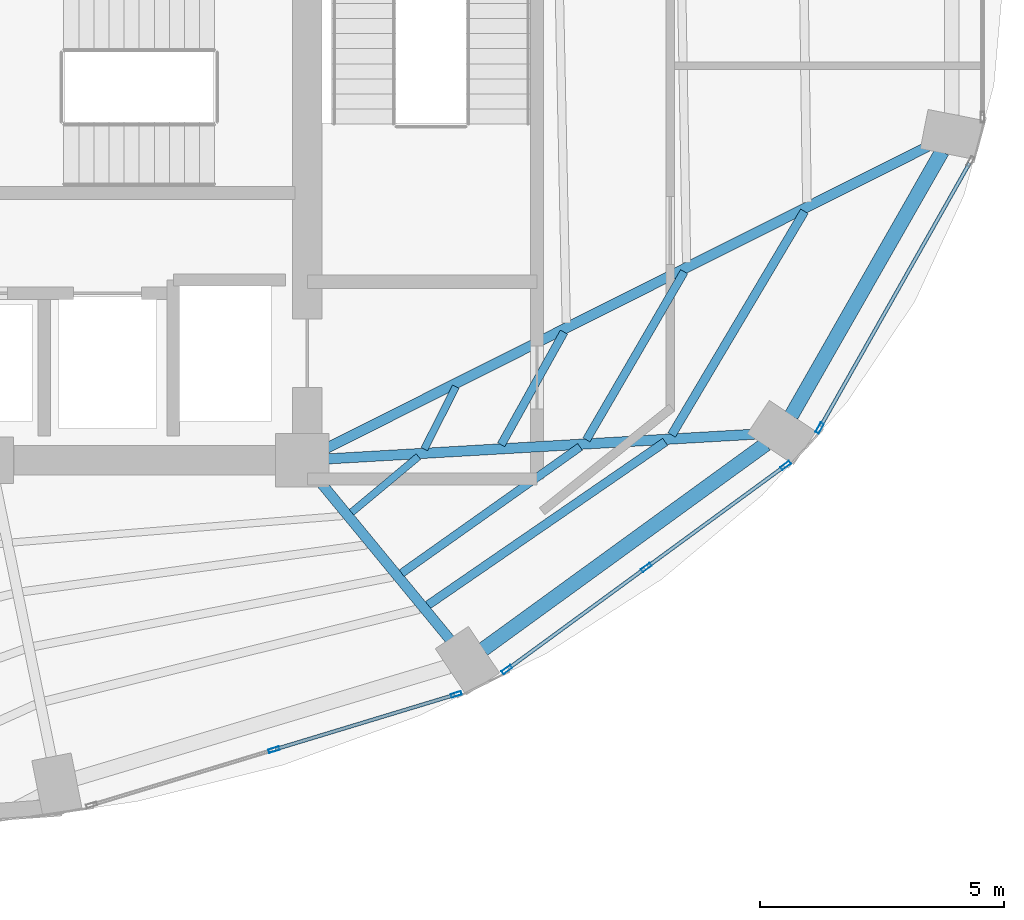
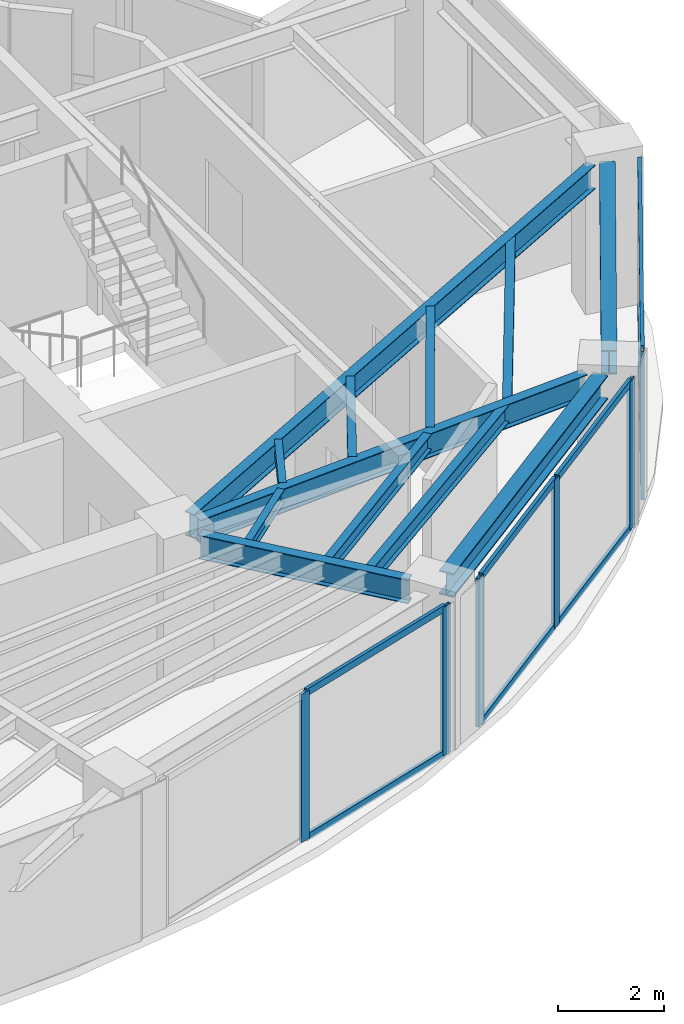
# One storey, part 9 of 19: 14 members, 12 beams, 3 elements without a shape of their own.
"""IFC4 building model written with IfcOpenShell, lengths in metres."""

from ifc_helpers import new_model, si_unit, direction, frame, origin, origin_2d, place, context, subcontext, project, spatial, hollow_rectangle, i_section, extrude, material, layer, layer_set, material_profile, profile_set, type_object, element, aggregate, save


model = new_model("IFC4")

# Units and contexts
model_context = context("Model", 3, precision=1e-05, world=origin(), true_north=direction((0.0, 1.0)))
body_context = subcontext(model_context, "Body", "Model", "MODEL_VIEW")
ifc_project = project(units=[si_unit("LENGTHUNIT", "METRE"), si_unit("AREAUNIT", "SQUARE_METRE"), si_unit("VOLUMEUNIT", "CUBIC_METRE"), si_unit("PLANEANGLEUNIT", "RADIAN"), si_unit("MASSUNIT", "GRAM", prefix="KILO")], contexts=[model_context])

# Site, building, storey
site_placement = place(None, origin())
site = spatial("IfcSite", under=ifc_project, at=site_placement, CompositionType="ELEMENT")
building_placement = place(site_placement, origin())
building = spatial("IfcBuilding", under=site, at=building_placement, Name="Lazwardi Medical Tower", CompositionType="ELEMENT")
storey_placement = place(building_placement, frame((0.0, 0.0, 167.471923828125)))
storey = spatial("IfcBuildingStorey", under=building, at=storey_placement, Name="L43", CompositionType="ELEMENT", Elevation=167.471923828125)

# Beams
ifc_material_1 = material(Name="Steel S355", Category="steel")
ifc_material_profile_1 = material_profile(ifc_material_1, i_section(OverallWidth=0.300048828125, OverallDepth=0.550048828125, WebThickness=0.014892578125, FlangeThickness=0.029052734375, at=origin_2d()), Name="HEB 550")
ifc_profile_set_1 = profile_set([ifc_material_profile_1], Name="Steel S355")
beam_type_1 = type_object("IfcBeamType", Name="BM-RB-Z3", PredefinedType="BEAM", material=ifc_profile_set_1)
beam_1_placement = place(storey_placement, frame((49.310302734375, 16.520751953125, 3.153076171875), z_axis=(0.809127570774, 0.587633026824, 0.0), x_axis=(-0.587633026824, 0.809127570774, 0.0)))
element("IfcBeam", 1, at=beam_1_placement, inside=storey, type_object=beam_type_1, Name="Ring beam RB-04 B02 L43", PredefinedType="BEAM", context=body_context, shape_type="SweptSolid", body=[
    extrude(i_section(OverallWidth=0.300048828125, OverallDepth=0.550048828125, WebThickness=0.014892578125, FlangeThickness=0.029052734375, at=origin_2d()), origin(), (0.0, 0.0, 1.0), 7.170166015625),
])
beam_2_placement = place(storey_placement, frame((55.6337890625, 21.316650390625, 3.153076171875), z_axis=(0.495477752551, 0.868620628771, 0.0), x_axis=(-0.868620628771, 0.495477752551, 0.0)))
element("IfcBeam", 2, at=beam_2_placement, inside=storey, type_object=beam_type_1, Name="Ring beam RB-04 B03 L43", PredefinedType="BEAM", context=body_context, shape_type="SweptSolid", body=[
    extrude(i_section(OverallWidth=0.300048828125, OverallDepth=0.550048828125, WebThickness=0.014892578125, FlangeThickness=0.029052734375, at=origin_2d()), origin(), (0.0, 0.0, 1.0), 6.244384765625),
])
ifc_material_profile_2 = material_profile(ifc_material_1, i_section(OverallWidth=0.2099609375, OverallDepth=0.550048828125, WebThickness=0.010986328125, FlangeThickness=0.01708984375, at=origin_2d()), Name="IPE 550")
ifc_profile_set_2 = profile_set([ifc_material_profile_2], Name="Steel S355")
beam_type_2 = type_object("IfcBeamType", Name="BM-RG-W2", PredefinedType="BEAM", material=ifc_profile_set_2)
beam_3_placement = place(storey_placement, frame((48.630615234375, 16.71826171875, 3.153076171875), z_axis=(-0.635555639966, 0.772055068312, 0.0), x_axis=(-0.772055068312, -0.635555639966, 0.0)))
element("IfcBeam", 3, at=beam_3_placement, inside=storey, type_object=beam_type_2, Name="Radial girder RG-03 R02 L43", PredefinedType="BEAM", context=body_context, shape_type="SweptSolid", body=[
    extrude(i_section(OverallWidth=0.2099609375, OverallDepth=0.550048828125, WebThickness=0.010986328125, FlangeThickness=0.01708984375, at=origin_2d()), origin(), (0.0, 0.0, 1.0), 4.233642578125),
])
beam_4_placement = place(storey_placement, frame((54.87646484375, 20.936767578125, 3.153076171875), z_axis=(-0.998330154646, -0.057765927014, 0.0), x_axis=(0.057765927014, -0.998330154646, 0.0)))
element("IfcBeam", 4, at=beam_4_placement, inside=storey, type_object=beam_type_2, Name="Radial girder RG-03 R03 L43", PredefinedType="BEAM", context=body_context, shape_type="SweptSolid", body=[
    extrude(i_section(OverallWidth=0.2099609375, OverallDepth=0.550048828125, WebThickness=0.010986328125, FlangeThickness=0.01708984375, at=origin_2d()), origin(), (0.0, 0.0, 1.0), 8.757080078125),
])
beam_5_placement = place(storey_placement, frame((58.42529296875, 26.837158203125, 3.153076171875), z_axis=(-0.893740468624, -0.448584412061, 0.0), x_axis=(0.448584412061, -0.893740468624, 0.0)))
element("IfcBeam", 5, at=beam_5_placement, inside=storey, type_object=beam_type_2, Name="Radial girder RG-03 R04 L43", PredefinedType="BEAM", context=body_context, shape_type="SweptSolid", body=[
    extrude(i_section(OverallWidth=0.2099609375, OverallDepth=0.550048828125, WebThickness=0.010986328125, FlangeThickness=0.01708984375, at=origin_2d()), origin(), (0.0, 0.0, 1.0), 13.815185546875),
])
ifc_material_profile_3 = material_profile(ifc_material_1, i_section(OverallWidth=0.179931640625, OverallDepth=0.39990234375, WebThickness=0.008544921875, FlangeThickness=0.013427734375, at=origin_2d()), Name="IPE 400")
ifc_profile_set_3 = profile_set([ifc_material_profile_3], Name="Steel S355")
beam_type_3 = type_object("IfcBeamType", Name="BM-SJ-01", PredefinedType="JOIST", material=ifc_profile_set_3)
beam_6_placement = place(storey_placement, frame((48.1748046875, 17.4287109375, 3.22802734375), z_axis=(0.823932256005, 0.566688307198, 0.0), x_axis=(-0.566688307198, 0.823932256005, 0.0)))
element("IfcBeam", 6, at=beam_6_placement, inside=storey, type_object=beam_type_3, Name="Secondary joist SJ-01 R1 B02 L43", PredefinedType="JOIST", context=body_context, shape_type="SweptSolid", body=[
    extrude(i_section(OverallWidth=0.179931640625, OverallDepth=0.39990234375, WebThickness=0.008544921875, FlangeThickness=0.013427734375, at=origin_2d()), origin(), (0.0, 0.0, 1.0), 5.91162109375),
])
beam_7_placement = place(storey_placement, frame((53.17919921875, 20.921630859375, 3.22802734375), z_axis=(0.510569396963, 0.859836548935, 0.0), x_axis=(-0.859836548935, 0.510569396963, 0.0)))
element("IfcBeam", 7, at=beam_7_placement, inside=storey, type_object=beam_type_3, Name="Secondary joist SJ-01 R1 B03 L43", PredefinedType="JOIST", context=body_context, shape_type="SweptSolid", body=[
    extrude(i_section(OverallWidth=0.179931640625, OverallDepth=0.39990234375, WebThickness=0.008544921875, FlangeThickness=0.013427734375, at=origin_2d()), origin(), (0.0, 0.0, 1.0), 5.33837890625),
])
ifc_material_profile_4 = material_profile(ifc_material_1, i_section(OverallWidth=0.169921875, OverallDepth=0.360107421875, WebThickness=0.008056640625, FlangeThickness=0.0126953125, at=origin_2d()), Name="IPE 360")
ifc_profile_set_4 = profile_set([ifc_material_profile_4], Name="Steel S355")
beam_type_4 = type_object("IfcBeamType", Name="BM-SJ-02", PredefinedType="JOIST", material=ifc_profile_set_4)
beam_8_placement = place(storey_placement, frame((47.635986328125, 18.08349609375, 3.248046875), z_axis=(0.816108950798, 0.577898070967, 0.0), x_axis=(-0.577898070967, 0.816108950798, 0.0)))
element("IfcBeam", 8, at=beam_8_placement, inside=storey, type_object=beam_type_4, Name="Secondary joist SJ-02 R2 B02 L43", PredefinedType="JOIST", context=body_context, shape_type="SweptSolid", body=[
    extrude(i_section(OverallWidth=0.169921875, OverallDepth=0.360107421875, WebThickness=0.008056640625, FlangeThickness=0.0126953125, at=origin_2d()), origin(), (0.0, 0.0, 1.0), 4.487060546875),
])
beam_9_placement = place(storey_placement, frame((51.4296875, 20.82080078125, 3.248046875), z_axis=(0.502665102216, 0.864481228839, 0.0), x_axis=(-0.864481228839, 0.502665102216, 0.0)))
element("IfcBeam", 9, at=beam_9_placement, inside=storey, type_object=beam_type_4, Name="Secondary joist SJ-02 R2 B03 L43", PredefinedType="JOIST", context=body_context, shape_type="SweptSolid", body=[
    extrude(i_section(OverallWidth=0.169921875, OverallDepth=0.360107421875, WebThickness=0.008056640625, FlangeThickness=0.0126953125, at=origin_2d()), origin(), (0.0, 0.0, 1.0), 3.991943359375),
])
beam_10_placement = place(storey_placement, frame((49.6796875, 20.720703125, 3.248046875), z_axis=(0.487099444348, 0.87334651274, 0.0), x_axis=(-0.87334651274, 0.487099444348, 0.0)))
element("IfcBeam", 10, at=beam_10_placement, inside=storey, type_object=beam_type_4, Name="Secondary joist SJ-02 R3 B03 L43", PredefinedType="JOIST", context=body_context, shape_type="SweptSolid", body=[
    extrude(i_section(OverallWidth=0.169921875, OverallDepth=0.360107421875, WebThickness=0.008056640625, FlangeThickness=0.0126953125, at=origin_2d()), origin(), (0.0, 0.0, 1.0), 2.64599609375),
])
ifc_material_profile_5 = material_profile(ifc_material_1, i_section(OverallWidth=0.14990234375, OverallDepth=0.300048828125, WebThickness=0.007080078125, FlangeThickness=0.0107421875, at=origin_2d()), Name="IPE 300")
ifc_profile_set_5 = profile_set([ifc_material_profile_5], Name="Steel S355")
beam_type_5 = type_object("IfcBeamType", Name="BM-SJ-03", PredefinedType="JOIST", material=ifc_profile_set_5)
beam_11_placement = place(storey_placement, frame((46.608642578125, 19.331787109375, 3.278076171875), z_axis=(0.767437193893, 0.641124132621, 0.0), x_axis=(-0.641124132621, 0.767437193893, 0.0)))
element("IfcBeam", 11, at=beam_11_placement, inside=storey, type_object=beam_type_5, Name="Secondary joist SJ-03 R4 B02 L43", PredefinedType="JOIST", context=body_context, shape_type="SweptSolid", body=[
    extrude(i_section(OverallWidth=0.14990234375, OverallDepth=0.300048828125, WebThickness=0.007080078125, FlangeThickness=0.0107421875, at=origin_2d()), origin(), (0.0, 0.0, 1.0), 1.787841796875),
])
beam_12_placement = place(storey_placement, frame((48.1025390625, 20.631591796875, 3.278076171875), z_axis=(0.450406075332, 0.892823816497, 0.0), x_axis=(-0.892823816497, 0.450406075332, 0.0)))
element("IfcBeam", 12, at=beam_12_placement, inside=storey, type_object=beam_type_5, Name="Secondary joist SJ-03 R4 B03 L43", PredefinedType="JOIST", context=body_context, shape_type="SweptSolid", body=[
    extrude(i_section(OverallWidth=0.14990234375, OverallDepth=0.300048828125, WebThickness=0.007080078125, FlangeThickness=0.0107421875, at=origin_2d()), origin(), (0.0, 0.0, 1.0), 1.4365234375),
])

# Curtain wall, members
ifc_material_2 = material(Name="Anodised bronze aluminium and solar control glazing", Category="aluminium")
ifc_layer = layer(ifc_material_2, 0.195068359375)
ifc_layer_set = layer_set([ifc_layer], Name="Anodised bronze aluminium and solar control glazing")
curtain_wall_type = type_object("IfcCurtainWallType", Name="CW-SYS-03", PredefinedType="NOTDEFINED", material=ifc_layer_set)
curtain_wall_1_placement = place(storey_placement, origin())
curtain_wall_1 = element("IfcCurtainWall", 13, at=curtain_wall_1_placement, inside=storey, type_object=curtain_wall_type, Name="L43 Unitised bronze curtain wall CW-03", PredefinedType="NOTDEFINED")
ifc_material_3 = material(Name="Anodised bronze aluminium", Category="aluminium")
ifc_material_profile_6 = material_profile(ifc_material_3, hollow_rectangle(XDim=0.074951171875, YDim=0.219970703125, WallThickness=0.00390625, at=origin_2d()), Name="ALU-MULLION 220x75x4")
ifc_profile_set_6 = profile_set([ifc_material_profile_6], Name="Anodised bronze aluminium")
member_type_1 = type_object("IfcMemberType", Name="CW-MUL-01", PredefinedType="MULLION", material=ifc_profile_set_6)
member_1_placement = place(storey_placement, frame((45.01513671875, 14.461181640625, 0.0), z_axis=(0.0, 0.0, 1.0), x_axis=(-0.290280785441, 0.956941516292, 0.0)))
member_1 = element("IfcMember", 14, at=member_1_placement, type_object=member_type_1, Name="CW-03 mullion 2", PredefinedType="MULLION", context=body_context, shape_type="SweptSolid", body=[
    extrude(hollow_rectangle(XDim=0.074951171875, YDim=0.219970703125, WallThickness=0.00390625, at=origin_2d()), origin(), (0.0, 0.0, 1.0), 3.427978515625),
])
member_2_placement = place(storey_placement, frame((48.758056640625, 15.5966796875, 0.0), z_axis=(0.0, 0.0, 1.0), x_axis=(-0.290280785441, 0.956941516292, 0.0)))
member_2 = element("IfcMember", 15, at=member_2_placement, type_object=member_type_1, Name="CW-03 mullion 3", PredefinedType="MULLION", context=body_context, shape_type="SweptSolid", body=[
    extrude(hollow_rectangle(XDim=0.074951171875, YDim=0.219970703125, WallThickness=0.00390625, at=origin_2d()), origin(), (0.0, 0.0, 1.0), 3.427978515625),
])

curtain_wall_2_placement = place(storey_placement, origin())
curtain_wall_2 = element("IfcCurtainWall", 16, at=curtain_wall_2_placement, inside=storey, type_object=curtain_wall_type, Name="L43 Unitised bronze curtain wall CW-03", PredefinedType="NOTDEFINED")
member_3_placement = place(storey_placement, frame((49.795654296875, 16.105224609375, 0.0), z_axis=(0.0, 0.0, 1.0), x_axis=(-0.590833862635, 0.806793249082, 0.0)))
member_3 = element("IfcMember", 17, at=member_3_placement, type_object=member_type_1, Name="CW-03 mullion 1", PredefinedType="MULLION", context=body_context, shape_type="SweptSolid", body=[
    extrude(hollow_rectangle(XDim=0.074951171875, YDim=0.219970703125, WallThickness=0.00390625, at=origin_2d()), origin(), (0.0, 0.0, 1.0), 3.427978515625),
])
member_4_placement = place(storey_placement, frame((52.65771484375, 18.201171875, 0.0), z_axis=(0.0, 0.0, 1.0), x_axis=(-0.590833862635, 0.806793249082, 0.0)))
member_4 = element("IfcMember", 18, at=member_4_placement, type_object=member_type_1, Name="CW-03 mullion 2", PredefinedType="MULLION", context=body_context, shape_type="SweptSolid", body=[
    extrude(hollow_rectangle(XDim=0.074951171875, YDim=0.219970703125, WallThickness=0.00390625, at=origin_2d()), origin(), (0.0, 0.0, 1.0), 3.427978515625),
])
member_5_placement = place(storey_placement, frame((55.519775390625, 20.297119140625, 0.0), z_axis=(0.0, 0.0, 1.0), x_axis=(-0.590833862635, 0.806793249082, 0.0)))
member_5 = element("IfcMember", 19, at=member_5_placement, type_object=member_type_1, Name="CW-03 mullion 3", PredefinedType="MULLION", context=body_context, shape_type="SweptSolid", body=[
    extrude(hollow_rectangle(XDim=0.074951171875, YDim=0.219970703125, WallThickness=0.00390625, at=origin_2d()), origin(), (0.0, 0.0, 1.0), 3.427978515625),
])

# Curtain wall, member
curtain_wall_3_placement = place(storey_placement, origin())
curtain_wall_3 = element("IfcCurtainWall", 20, at=curtain_wall_3_placement, inside=storey, type_object=curtain_wall_type, Name="L43 Unitised bronze curtain wall CW-03", PredefinedType="NOTDEFINED")
member_6_placement = place(storey_placement, frame((56.217529296875, 21.063232421875, 0.0), z_axis=(0.0, 0.0, 1.0), x_axis=(-0.870418989303, 0.492311672683, 0.0)))
member_6 = element("IfcMember", 21, at=member_6_placement, type_object=member_type_1, Name="CW-03 mullion 1", PredefinedType="MULLION", context=body_context, shape_type="SweptSolid", body=[
    extrude(hollow_rectangle(XDim=0.074951171875, YDim=0.219970703125, WallThickness=0.00390625, at=origin_2d()), origin(), (0.0, 0.0, 1.0), 3.427978515625),
])

# Member
ifc_material_profile_7 = material_profile(ifc_material_3, hollow_rectangle(XDim=0.074951171875, YDim=0.159912109375, WallThickness=0.00390625, at=origin_2d()), Name="ALU-TRANSOM 160x75x4")
ifc_profile_set_7 = profile_set([ifc_material_profile_7], Name="Anodised bronze aluminium")
member_type_2 = type_object("IfcMemberType", Name="CW-TRN-01", PredefinedType="USERDEFINED", material=ifc_profile_set_7)
member_7_placement = place(storey_placement, frame((45.051025390625, 14.47216796875, 0.03759765625), z_axis=(0.956930154175, 0.290318239233, 0.0), x_axis=(-0.290318239233, 0.956930154175, 0.0)))
member_7 = element("IfcMember", 22, at=member_7_placement, type_object=member_type_2, Name="CW-03 transom 2.1", ObjectType="TRANSOM", PredefinedType="USERDEFINED", context=body_context, shape_type="SweptSolid", body=[
    extrude(hollow_rectangle(XDim=0.074951171875, YDim=0.159912109375, WallThickness=0.00390625, at=origin_2d()), origin(), (0.0, 0.0, 1.0), 3.83642578125),
])

member_8_placement = place(storey_placement, frame((45.051025390625, 14.47216796875, 3.390625), z_axis=(0.956930154175, 0.290318239233, 0.0), x_axis=(-0.290318239233, 0.956930154175, 0.0)))
member_8 = element("IfcMember", 23, at=member_8_placement, type_object=member_type_2, Name="CW-03 transom 2.2", ObjectType="TRANSOM", PredefinedType="USERDEFINED", context=body_context, shape_type="SweptSolid", body=[
    extrude(hollow_rectangle(XDim=0.074951171875, YDim=0.159912109375, WallThickness=0.00390625, at=origin_2d()), origin(), (0.0, 0.0, 1.0), 3.83642578125),
])

aggregate(curtain_wall_1, [member_1, member_2, member_7, member_8])

member_9_placement = place(storey_placement, frame((49.825927734375, 16.127197265625, 0.03759765625), z_axis=(0.806773646358, 0.590860629542, 0.0), x_axis=(-0.590860629542, 0.806773646358, 0.0)))
member_9 = element("IfcMember", 24, at=member_9_placement, type_object=member_type_2, Name="CW-03 transom 1.1", ObjectType="TRANSOM", PredefinedType="USERDEFINED", context=body_context, shape_type="SweptSolid", body=[
    extrude(hollow_rectangle(XDim=0.074951171875, YDim=0.159912109375, WallThickness=0.00390625, at=origin_2d()), origin(), (0.0, 0.0, 1.0), 3.472412109375),
])

member_10_placement = place(storey_placement, frame((49.825927734375, 16.127197265625, 3.390625), z_axis=(0.806773646358, 0.590860629542, 0.0), x_axis=(-0.590860629542, 0.806773646358, 0.0)))
member_10 = element("IfcMember", 25, at=member_10_placement, type_object=member_type_2, Name="CW-03 transom 1.2", ObjectType="TRANSOM", PredefinedType="USERDEFINED", context=body_context, shape_type="SweptSolid", body=[
    extrude(hollow_rectangle(XDim=0.074951171875, YDim=0.159912109375, WallThickness=0.00390625, at=origin_2d()), origin(), (0.0, 0.0, 1.0), 3.472412109375),
])

member_11_placement = place(storey_placement, frame((52.68798828125, 18.22314453125, 0.03759765625), z_axis=(0.806773646358, 0.590860629542, 0.0), x_axis=(-0.590860629542, 0.806773646358, 0.0)))
member_11 = element("IfcMember", 26, at=member_11_placement, type_object=member_type_2, Name="CW-03 transom 2.1", ObjectType="TRANSOM", PredefinedType="USERDEFINED", context=body_context, shape_type="SweptSolid", body=[
    extrude(hollow_rectangle(XDim=0.074951171875, YDim=0.159912109375, WallThickness=0.00390625, at=origin_2d()), origin(), (0.0, 0.0, 1.0), 3.472412109375),
])

member_12_placement = place(storey_placement, frame((52.68798828125, 18.22314453125, 3.390625), z_axis=(0.806773646358, 0.590860629542, 0.0), x_axis=(-0.590860629542, 0.806773646358, 0.0)))
member_12 = element("IfcMember", 27, at=member_12_placement, type_object=member_type_2, Name="CW-03 transom 2.2", ObjectType="TRANSOM", PredefinedType="USERDEFINED", context=body_context, shape_type="SweptSolid", body=[
    extrude(hollow_rectangle(XDim=0.074951171875, YDim=0.159912109375, WallThickness=0.00390625, at=origin_2d()), origin(), (0.0, 0.0, 1.0), 3.472412109375),
])

aggregate(curtain_wall_2, [member_3, member_4, member_5, member_9, member_10, member_11, member_12])

member_13_placement = place(storey_placement, frame((56.236083984375, 21.095947265625, 0.03759765625), z_axis=(0.492322860598, 0.870412661289, 0.0), x_axis=(-0.870412661289, 0.492322860598, 0.0)))
member_13 = element("IfcMember", 28, at=member_13_placement, type_object=member_type_2, Name="CW-03 transom 1.1", ObjectType="TRANSOM", PredefinedType="USERDEFINED", context=body_context, shape_type="SweptSolid", body=[
    extrude(hollow_rectangle(XDim=0.074951171875, YDim=0.159912109375, WallThickness=0.00390625, at=origin_2d()), origin(), (0.0, 0.0, 1.0), 6.20849609375),
])

member_14_placement = place(storey_placement, frame((56.236083984375, 21.095947265625, 3.390625), z_axis=(0.492322860598, 0.870412661289, 0.0), x_axis=(-0.870412661289, 0.492322860598, 0.0)))
member_14 = element("IfcMember", 29, at=member_14_placement, type_object=member_type_2, Name="CW-03 transom 1.2", ObjectType="TRANSOM", PredefinedType="USERDEFINED", context=body_context, shape_type="SweptSolid", body=[
    extrude(hollow_rectangle(XDim=0.074951171875, YDim=0.159912109375, WallThickness=0.00390625, at=origin_2d()), origin(), (0.0, 0.0, 1.0), 6.20849609375),
])

aggregate(curtain_wall_3, [member_6, member_13, member_14])

save(model, "model.ifc")
